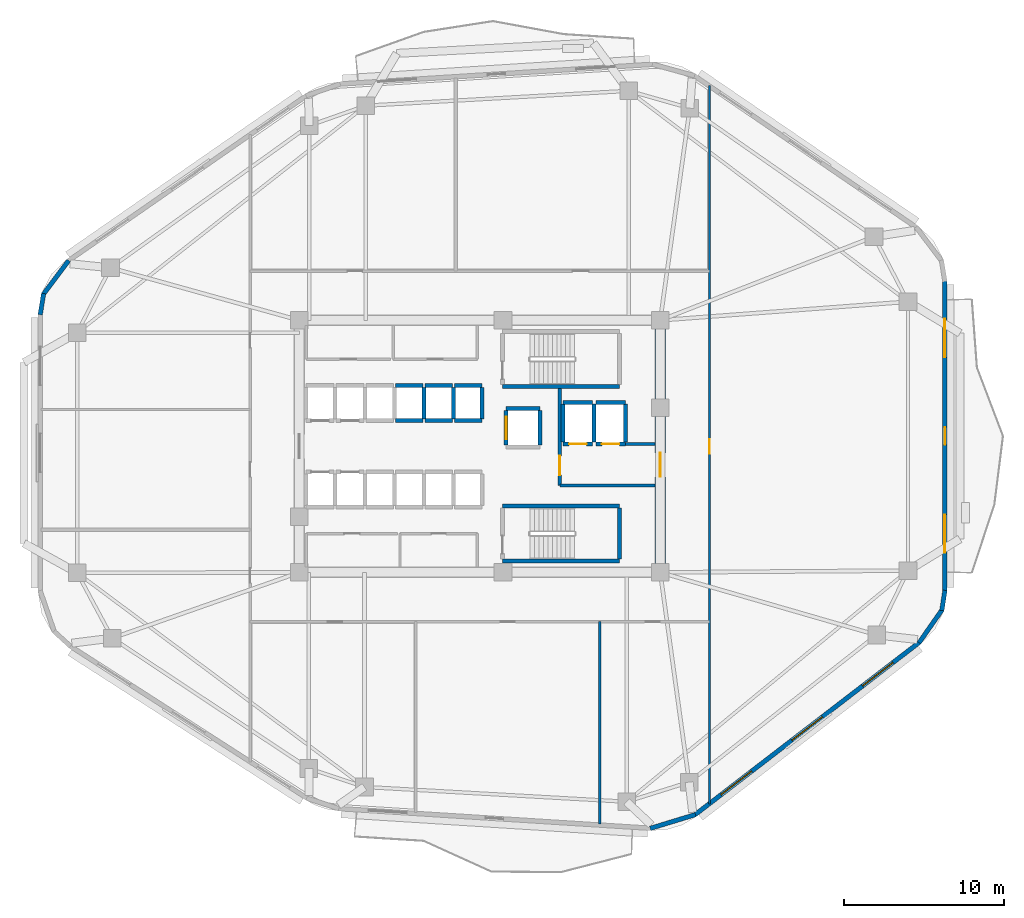
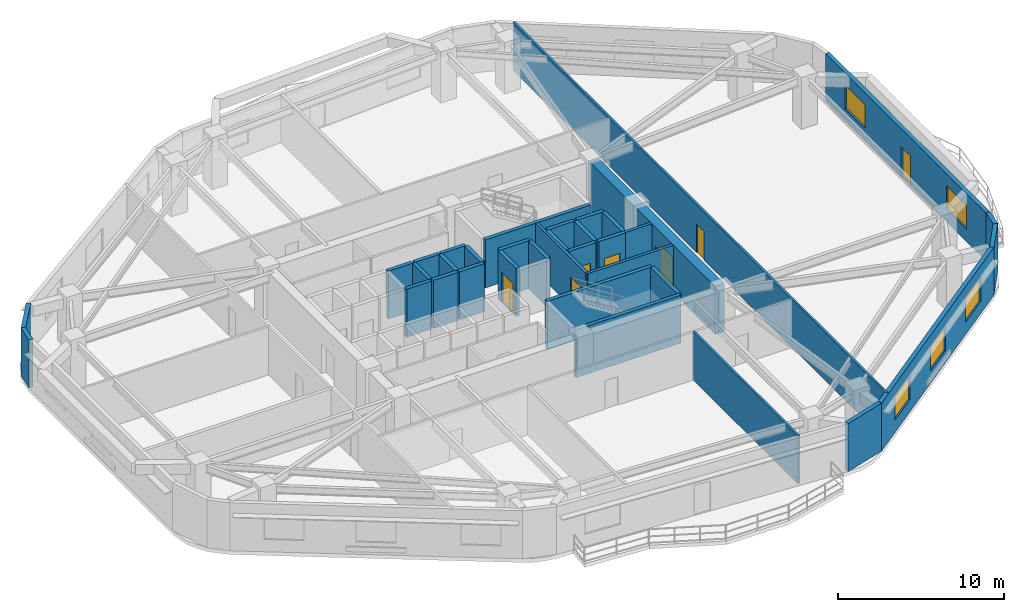
# One storey, part 4 of 8: 36 walls, 7 doors, 5 windows, 12 openings.
"""IFC4 building model written with IfcOpenShell, lengths in metres."""

from ifc_helpers import new_model, si_unit, direction, frame, frame_2d, origin, place, context, subcontext, project, spatial, rectangle, extrude, material, layer, layer_set, type_object, element, fill, save


model = new_model("IFC4")

# Units and contexts
model_context = context("Model", 3, precision=1e-05, world=origin(), true_north=direction((0.0, 1.0)))
body_context = subcontext(model_context, "Body", "Model", "MODEL_VIEW")
ifc_project = project(units=[si_unit("LENGTHUNIT", "METRE"), si_unit("AREAUNIT", "SQUARE_METRE"), si_unit("VOLUMEUNIT", "CUBIC_METRE"), si_unit("PLANEANGLEUNIT", "RADIAN"), si_unit("MASSUNIT", "GRAM", prefix="KILO")], contexts=[model_context])

# Site, building, storey
site_placement = place(None, origin())
site = spatial("IfcSite", under=ifc_project, at=site_placement, CompositionType="ELEMENT")
building_placement = place(site_placement, origin())
building = spatial("IfcBuilding", under=site, at=building_placement, Name="Zulverin Broadcast Headquarters", CompositionType="ELEMENT")
storey_placement = place(building_placement, frame((0.0, 0.0, 89.60009765625)))
storey = spatial("IfcBuildingStorey", under=building, at=storey_placement, Name="L22", CompositionType="ELEMENT", Elevation=89.60009765625)

# Wall, opening, door
ifc_material_1 = material(Name="Concrete C60/75", Category="concrete")
ifc_layer_1 = layer(ifc_material_1, 0.64990234375, Name="Concrete C60/75", Category="concrete")
ifc_layer_set_1 = layer_set([ifc_layer_1], Name="Concrete C60/75")
wall_type_1 = type_object("IfcWallType", Name="WL-CORE-650", PredefinedType="SHEAR", material=ifc_layer_set_1)
wall_1_placement = place(storey_placement, frame((48.27490234375, 17.64990234375, 0.0), z_axis=(0.0, 0.0, 1.0), x_axis=(0.0, 1.0, 0.0)))
wall_1 = element("IfcWall", 1, at=wall_1_placement, inside=storey, type_object=wall_type_1, Name="L22 Core East Shear Wall", PredefinedType="SHEAR", context=body_context, shape_type="SweptSolid", body=[
    extrude(rectangle(XDim=15.10009765625, YDim=0.64990234375, at=frame_2d((7.550048828125, 0.0))), origin(), (0.0, 0.0, 1.0), 3.52490234375),
])
opening_1_placement = place(wall_1_placement, frame((5.64990234375, 0.0, 0.0)))
opening_1 = element("IfcOpeningElement", 2, at=opening_1_placement, cuts=wall_1, Name="Opening D-L22-CE1", PredefinedType="OPENING", context=body_context, shape_type="SweptSolid", body=[
    extrude(rectangle(XDim=1.5, YDim=2.14990234375, at=frame_2d((0.75, 1.074951171875))), frame((0.0, 0.3349609375, 0.0), z_axis=(0.0, -1.0, 0.0), x_axis=(1.0, 0.0, 0.0)), (0.0, 0.0, 1.0), 0.669921875),
])
ifc_material_2 = material(Name="Fire-rated glazed steel frame", Category="steel")
door_type_1 = type_object("IfcDoorType", Name="DR-COR-1500", OperationType="DOUBLE_DOOR_SINGLE_SWING", PredefinedType="DOOR", material=ifc_material_2)
door_1_placement = place(opening_1_placement, origin())
door_1 = element("IfcDoor", 3, at=door_1_placement, inside=storey, type_object=door_type_1, Name="L22 Firefighting Lobby East Corridor Door", OperationType="DOUBLE_DOOR_SINGLE_SWING", OverallHeight=2.14990234375, OverallWidth=1.5, PredefinedType="DOOR", context=body_context, shape_type="SweptSolid", body=[
    extrude(rectangle(XDim=1.5, YDim=2.14990234375, at=frame_2d((0.75, 1.074951171875))), frame((0.0, 0.02490234375, 0.0), z_axis=(0.0, -1.0, 0.0), x_axis=(1.0, 0.0, 0.0)), (0.0, 0.0, 1.0), 0.050048828125),
])
fill(opening_1, door_1)

# Wall, openings, windows
ifc_material_3 = material(Name="Insulated pale-metal clad concrete spandrel C40/50", Category="concrete")
ifc_layer_2 = layer(ifc_material_3, 0.280029296875, Name="Insulated pale-metal clad concrete spandrel C40/50", Category="concrete")
ifc_layer_set_2 = layer_set([ifc_layer_2], Name="Insulated pale-metal clad concrete spandrel C40/50")
wall_type_2 = type_object("IfcWallType", Name="WL-EXT-280", PredefinedType="STANDARD", material=ifc_layer_set_2)
wall_2_placement = place(storey_placement, frame((50.4287109375, 2.171630859375, 0.0), z_axis=(0.0, 0.0, 1.0), x_axis=(0.792937466367, 0.609303023488, 0.0)))
wall_2 = element("IfcWall", 4, at=wall_2_placement, inside=storey, type_object=wall_type_2, Name="L22 Pale-Metal Clad Spandrel Wall 2", PredefinedType="STANDARD", context=body_context, shape_type="SweptSolid", body=[
    extrude(rectangle(XDim=17.712890625, YDim=0.280029296875, at=frame_2d((8.8564453125, 0.0))), origin(), (0.0, 0.0, 1.0), 3.52490234375),
])
opening_2_placement = place(wall_2_placement, frame((2.08544921875, 0.0, 0.89990234375)))
opening_2 = element("IfcOpeningElement", 5, at=opening_2_placement, cuts=wall_2, Name="Opening W-L22-E21", PredefinedType="OPENING", context=body_context, shape_type="SweptSolid", body=[
    extrude(rectangle(XDim=2.39990234375, YDim=1.75, at=frame_2d((1.199951171875, 0.875))), frame((0.0, 0.14990234375, 0.0), z_axis=(0.0, -1.0, 0.0), x_axis=(1.0, 0.0, 0.0)), (0.0, 0.0, 1.0), 0.300048828125),
])
opening_3_placement = place(wall_2_placement, frame((7.656494140625, 0.0, 0.89990234375)))
opening_3 = element("IfcOpeningElement", 6, at=opening_3_placement, cuts=wall_2, Name="Opening W-L22-E22", PredefinedType="OPENING", context=body_context, shape_type="SweptSolid", body=[
    extrude(rectangle(XDim=2.39990234375, YDim=1.75, at=frame_2d((1.199951171875, 0.875))), frame((0.0, 0.14990234375, 0.0), z_axis=(0.0, -1.0, 0.0), x_axis=(1.0, 0.0, 0.0)), (0.0, 0.0, 1.0), 0.300048828125),
])
opening_4_placement = place(wall_2_placement, frame((13.227294921875, 0.0, 0.89990234375)))
opening_4 = element("IfcOpeningElement", 7, at=opening_4_placement, cuts=wall_2, Name="Opening W-L22-E23", PredefinedType="OPENING", context=body_context, shape_type="SweptSolid", body=[
    extrude(rectangle(XDim=2.39990234375, YDim=1.75, at=frame_2d((1.199951171875, 0.875))), frame((0.0, 0.14990234375, 0.0), z_axis=(0.0, -1.0, 0.0), x_axis=(1.0, 0.0, 0.0)), (0.0, 0.0, 1.0), 0.300048828125),
])
ifc_material_4 = material(Name="Pale anodized aluminium frame with solar-control low-E double glazing", Category="aluminium")
window_type = type_object("IfcWindowType", Name="WIN-RIB-2400", PartitioningType="SINGLE_PANEL", PredefinedType="WINDOW", material=ifc_material_4)
window_1_placement = place(opening_2_placement, origin())
window_1 = element("IfcWindow", 8, at=window_1_placement, inside=storey, type_object=window_type, Name="L22 Ribbon Glazing Window 2 1", OverallHeight=1.75, OverallWidth=2.39990234375, PartitioningType="SINGLE_PANEL", PredefinedType="WINDOW", context=body_context, shape_type="SweptSolid", body=[
    extrude(rectangle(XDim=2.39990234375, YDim=1.75, at=frame_2d((1.199951171875, 0.875))), frame((0.0, 0.030029296875, 0.0), z_axis=(0.0, -1.0, 0.0), x_axis=(1.0, 0.0, 0.0)), (0.0, 0.0, 1.0), 0.06005859375),
])
fill(opening_2, window_1)
window_2_placement = place(opening_3_placement, origin())
window_2 = element("IfcWindow", 9, at=window_2_placement, inside=storey, type_object=window_type, Name="L22 Ribbon Glazing Window 2 2", OverallHeight=1.75, OverallWidth=2.39990234375, PartitioningType="SINGLE_PANEL", PredefinedType="WINDOW", context=body_context, shape_type="SweptSolid", body=[
    extrude(rectangle(XDim=2.39990234375, YDim=1.75, at=frame_2d((1.199951171875, 0.875))), frame((0.0, 0.030029296875, 0.0), z_axis=(0.0, -1.0, 0.0), x_axis=(1.0, 0.0, 0.0)), (0.0, 0.0, 1.0), 0.06005859375),
])
fill(opening_3, window_2)
window_3_placement = place(opening_4_placement, origin())
window_3 = element("IfcWindow", 10, at=window_3_placement, inside=storey, type_object=window_type, Name="L22 Ribbon Glazing Window 2 3", OverallHeight=1.75, OverallWidth=2.39990234375, PartitioningType="SINGLE_PANEL", PredefinedType="WINDOW", context=body_context, shape_type="SweptSolid", body=[
    extrude(rectangle(XDim=2.39990234375, YDim=1.75, at=frame_2d((1.199951171875, 0.875))), frame((0.0, 0.030029296875, 0.0), z_axis=(0.0, -1.0, 0.0), x_axis=(1.0, 0.0, 0.0)), (0.0, 0.0, 1.0), 0.06005859375),
])
fill(opening_4, window_3)

# Wall, openings, door, windows
wall_3_placement = place(storey_placement, frame((66.06005859375, 16.183349609375, 0.0), z_axis=(0.0, 0.0, 1.0), x_axis=(0.0, 1.0, 0.0)))
wall_3 = element("IfcWall", 11, at=wall_3_placement, inside=storey, type_object=wall_type_2, Name="L22 Pale-Metal Clad Spandrel Wall 3", PredefinedType="STANDARD", context=body_context, shape_type="SweptSolid", body=[
    extrude(rectangle(XDim=19.3310546875, YDim=0.280029296875, at=frame_2d((9.66552734375, 0.0))), origin(), (0.0, 0.0, 1.0), 3.52490234375),
])
opening_5_placement = place(wall_3_placement, frame((9.115478515625, 0.0, 0.0)))
opening_5 = element("IfcOpeningElement", 12, at=opening_5_placement, cuts=wall_3, Name="Opening D-L22-TR3", PredefinedType="OPENING", context=body_context, shape_type="SweptSolid", body=[
    extrude(rectangle(XDim=1.10009765625, YDim=2.199951171875, at=frame_2d((0.550048828125, 1.10009765625))), frame((0.0, 0.14990234375, 0.0), z_axis=(0.0, -1.0, 0.0), x_axis=(1.0, 0.0, 0.0)), (0.0, 0.0, 1.0), 0.300048828125),
])
opening_6_placement = place(wall_3_placement, frame((2.355224609375, 0.0, 0.89990234375)))
opening_6 = element("IfcOpeningElement", 13, at=opening_6_placement, cuts=wall_3, Name="Opening W-L22-E31", PredefinedType="OPENING", context=body_context, shape_type="SweptSolid", body=[
    extrude(rectangle(XDim=2.39990234375, YDim=1.75, at=frame_2d((1.199951171875, 0.875))), frame((0.0, 0.14990234375, 0.0), z_axis=(0.0, -1.0, 0.0), x_axis=(1.0, 0.0, 0.0)), (0.0, 0.0, 1.0), 0.300048828125),
])
opening_7_placement = place(wall_3_placement, frame((14.575927734375, 0.0, 0.89990234375)))
opening_7 = element("IfcOpeningElement", 14, at=opening_7_placement, cuts=wall_3, Name="Opening W-L22-E32", PredefinedType="OPENING", context=body_context, shape_type="SweptSolid", body=[
    extrude(rectangle(XDim=2.39990234375, YDim=1.75, at=frame_2d((1.199951171875, 0.875))), frame((0.0, 0.14990234375, 0.0), z_axis=(0.0, -1.0, 0.0), x_axis=(1.0, 0.0, 0.0)), (0.0, 0.0, 1.0), 0.300048828125),
])
ifc_material_5 = material(Name="Thermally broken aluminium glazed", Category="aluminium")
door_type_2 = type_object("IfcDoorType", Name="DR-TERR-1100", OperationType="SINGLE_SWING_RIGHT", PredefinedType="DOOR", material=ifc_material_5)
door_2_placement = place(opening_5_placement, origin())
door_2 = element("IfcDoor", 15, at=door_2_placement, inside=storey, type_object=door_type_2, Name="L22 Planted Terrace Glazed Access Door 3", OperationType="SINGLE_SWING_RIGHT", OverallHeight=2.199951171875, OverallWidth=1.10009765625, PredefinedType="DOOR", context=body_context, shape_type="SweptSolid", body=[
    extrude(rectangle(XDim=1.10009765625, YDim=2.199951171875, at=frame_2d((0.550048828125, 1.10009765625))), frame((0.0, 0.02490234375, 0.0), z_axis=(0.0, -1.0, 0.0), x_axis=(1.0, 0.0, 0.0)), (0.0, 0.0, 1.0), 0.050048828125),
])
fill(opening_5, door_2)
window_4_placement = place(opening_6_placement, origin())
window_4 = element("IfcWindow", 16, at=window_4_placement, inside=storey, type_object=window_type, Name="L22 Ribbon Glazing Window 3 1", OverallHeight=1.75, OverallWidth=2.39990234375, PartitioningType="SINGLE_PANEL", PredefinedType="WINDOW", context=body_context, shape_type="SweptSolid", body=[
    extrude(rectangle(XDim=2.39990234375, YDim=1.75, at=frame_2d((1.199951171875, 0.875))), frame((0.0, 0.030029296875, 0.0), z_axis=(0.0, -1.0, 0.0), x_axis=(1.0, 0.0, 0.0)), (0.0, 0.0, 1.0), 0.06005859375),
])
fill(opening_6, window_4)
window_5_placement = place(opening_7_placement, origin())
window_5 = element("IfcWindow", 17, at=window_5_placement, inside=storey, type_object=window_type, Name="L22 Ribbon Glazing Window 3 2", OverallHeight=1.75, OverallWidth=2.39990234375, PartitioningType="SINGLE_PANEL", PredefinedType="WINDOW", context=body_context, shape_type="SweptSolid", body=[
    extrude(rectangle(XDim=2.39990234375, YDim=1.75, at=frame_2d((1.199951171875, 0.875))), frame((0.0, 0.030029296875, 0.0), z_axis=(0.0, -1.0, 0.0), x_axis=(1.0, 0.0, 0.0)), (0.0, 0.0, 1.0), 0.06005859375),
])
fill(opening_7, window_5)

# Walls
wall_4_placement = place(storey_placement, frame((47.649658203125, 1.3330078125, 0.0), z_axis=(0.0, 0.0, 1.0), x_axis=(0.956461287977, 0.291859220516, 0.0)))
element("IfcWall", 18, at=wall_4_placement, inside=storey, type_object=wall_type_2, Name="L22 Wind-Shaped Corner Spandrel Wall 1-1", PredefinedType="STANDARD", context=body_context, shape_type="SweptSolid", body=[
    extrude(rectangle(XDim=2.951904296875, YDim=0.280029296875, at=frame_2d((1.47607421875, 0.0))), origin(), (0.0, 0.0, 1.0), 3.52490234375),
])
wall_5_placement = place(storey_placement, frame((64.4443359375, 12.933349609375, 0.0), z_axis=(0.0, 0.0, 1.0), x_axis=(0.573176686443, 0.819431806875, 0.0)))
element("IfcWall", 19, at=wall_5_placement, inside=storey, type_object=wall_type_2, Name="L22 Wind-Shaped Corner Spandrel Wall 2-1", PredefinedType="STANDARD", context=body_context, shape_type="SweptSolid", body=[
    extrude(rectangle(XDim=2.524169921875, YDim=0.280029296875, at=frame_2d((1.26220703125, 0.0))), origin(), (0.0, 0.0, 1.0), 3.52490234375),
])
wall_6_placement = place(storey_placement, frame((65.867431640625, 14.942626953125, 0.0), z_axis=(0.0, 0.0, 1.0), x_axis=(0.152014078361, 0.988378328364, 0.0)))
element("IfcWall", 20, at=wall_6_placement, inside=storey, type_object=wall_type_2, Name="L22 Wind-Shaped Corner Spandrel Wall 2-2", PredefinedType="STANDARD", context=body_context, shape_type="SweptSolid", body=[
    extrude(rectangle(XDim=1.27685546875, YDim=0.280029296875, at=frame_2d((0.638427734375, 0.0))), origin(), (0.0, 0.0, 1.0), 3.52490234375),
])
wall_7_placement = place(storey_placement, frame((11.317626953125, 36.81103515625, 0.0), z_axis=(0.0, 0.0, 1.0), x_axis=(-0.599455152629, -0.800408345775, 0.0)))
element("IfcWall", 21, at=wall_7_placement, inside=storey, type_object=wall_type_2, Name="L22 Wind-Shaped Corner Spandrel Wall 6-1", PredefinedType="STANDARD", context=body_context, shape_type="SweptSolid", body=[
    extrude(rectangle(XDim=2.6533203125, YDim=0.280029296875, at=frame_2d((1.32666015625, 0.0))), origin(), (0.0, 0.0, 1.0), 3.52490234375),
])
wall_8_placement = place(storey_placement, frame((9.753173828125, 34.748779296875, 0.0), z_axis=(0.0, 0.0, 1.0), x_axis=(-0.160037671962, -0.987110907423, 0.0)))
element("IfcWall", 22, at=wall_8_placement, inside=storey, type_object=wall_type_2, Name="L22 Wind-Shaped Corner Spandrel Wall 6-2", PredefinedType="STANDARD", context=body_context, shape_type="SweptSolid", body=[
    extrude(rectangle(XDim=1.343994140625, YDim=0.280029296875, at=frame_2d((0.671875, 0.0))), origin(), (0.0, 0.0, 1.0), 3.52490234375),
])

# Wall, opening, door
ifc_material_6 = material(Name="Concrete C40/50", Category="concrete")
ifc_layer_3 = layer(ifc_material_6, 0.199951171875, Name="Concrete C40/50", Category="concrete")
ifc_layer_set_3 = layer_set([ifc_layer_3], Name="Concrete C40/50")
wall_type_3 = type_object("IfcWallType", Name="WL-FFL-200", PredefinedType="SOLIDWALL", material=ifc_layer_set_3)
wall_9_placement = place(storey_placement, frame((42.0, 22.75, 0.0), z_axis=(0.0, 0.0, 1.0), x_axis=(0.0, 1.0, 0.0)))
wall_9 = element("IfcWall", 23, at=wall_9_placement, inside=storey, type_object=wall_type_3, Name="L22 Firefighting Lift Lobby West Wall", PredefinedType="SOLIDWALL", context=body_context, shape_type="SweptSolid", body=[
    extrude(rectangle(XDim=6.050048828125, YDim=0.199951171875, at=frame_2d((3.02490234375, 0.0))), origin(), (0.0, 0.0, 1.0), 3.52490234375),
])
opening_8_placement = place(wall_9_placement, frame((0.64990234375, 0.0, 0.0)))
opening_8 = element("IfcOpeningElement", 24, at=opening_8_placement, cuts=wall_9, Name="Opening D-L22-FFLW", PredefinedType="OPENING", context=body_context, shape_type="SweptSolid", body=[
    extrude(rectangle(XDim=1.199951171875, YDim=2.14990234375, at=frame_2d((0.60009765625, 1.074951171875))), frame((0.0, 0.10986328125, 0.0), z_axis=(0.0, -1.0, 0.0), x_axis=(1.0, 0.0, 0.0)), (0.0, 0.0, 1.0), 0.219970703125),
])
ifc_material_7 = material(Name="Fire-rated steel leaf and frame", Category="steel")
door_type_3 = type_object("IfcDoorType", Name="DR-FFL-1200", OperationType="SINGLE_SWING_RIGHT", PredefinedType="DOOR", material=ifc_material_7)
door_3_placement = place(opening_8_placement, origin())
door_3 = element("IfcDoor", 25, at=door_3_placement, inside=storey, type_object=door_type_3, Name="L22 Firefighting Lift Lobby Door", OperationType="SINGLE_SWING_RIGHT", OverallHeight=2.14990234375, OverallWidth=1.199951171875, PredefinedType="DOOR", context=body_context, shape_type="SweptSolid", body=[
    extrude(rectangle(XDim=1.199951171875, YDim=2.14990234375, at=frame_2d((0.60009765625, 1.074951171875))), frame((0.0, 0.02490234375, 0.0), z_axis=(0.0, -1.0, 0.0), x_axis=(1.0, 0.0, 0.0)), (0.0, 0.0, 1.0), 0.050048828125),
])
fill(opening_8, door_3)

# Walls
wall_10_placement = place(storey_placement, frame((42.0, 22.75, 0.0), z_axis=(0.0, 0.0, 1.0), x_axis=(1.0, 0.0, 0.0)))
element("IfcWall", 26, at=wall_10_placement, inside=storey, type_object=wall_type_3, Name="L22 Firefighting Lift Lobby South Wall", PredefinedType="SOLIDWALL", context=body_context, shape_type="SweptSolid", body=[
    extrude(rectangle(XDim=5.949951171875, YDim=0.199951171875, at=frame_2d((2.97509765625, 0.0))), origin(), (0.0, 0.0, 1.0), 3.52490234375),
])
wall_11_placement = place(storey_placement, frame((46.10009765625, 25.35009765625, 0.0), z_axis=(0.0, 0.0, 1.0), x_axis=(1.0, 0.0, 0.0)))
element("IfcWall", 27, at=wall_11_placement, inside=storey, type_object=wall_type_3, Name="L22 Firefighting Lift Lobby North Wall", PredefinedType="SOLIDWALL", context=body_context, shape_type="SweptSolid", body=[
    extrude(rectangle(XDim=1.849853515625, YDim=0.199951171875, at=frame_2d((0.9248046875, 0.0))), origin(), (0.0, 0.0, 1.0), 3.52490234375),
])

# Wall, opening, door
ifc_material_8 = material(Name="Fire-rated gypsum stud partition", Category="gypsum")
ifc_layer_4 = layer(ifc_material_8, 0.14990234375, Name="Fire-rated gypsum stud partition", Category="gypsum")
ifc_layer_set_4 = layer_set([ifc_layer_4], Name="Fire-rated gypsum stud partition")
wall_type_4 = type_object("IfcWallType", Name="WL-PART-150", PredefinedType="PARTITIONING", material=ifc_layer_set_4)
wall_12_placement = place(storey_placement, frame((51.35009765625, 2.843017578125, 0.0), z_axis=(0.0, 0.0, 1.0), x_axis=(0.0, 1.0, 0.0)))
wall_12 = element("IfcWall", 28, at=wall_12_placement, inside=storey, type_object=wall_type_4, Name="L22 Gallery Partition Wall CG-01", PredefinedType="PARTITIONING", context=body_context, shape_type="SweptSolid", body=[
    extrude(rectangle(XDim=44.89208984375, YDim=0.14990234375, at=frame_2d((22.446044921875, 0.0))), origin(), (0.0, 0.0, 1.0), 3.52490234375),
])
opening_9_placement = place(wall_12_placement, frame((21.906982421875, 0.0, 0.0)))
opening_9 = element("IfcOpeningElement", 29, at=opening_9_placement, cuts=wall_12, Name="Opening D-L22-09", PredefinedType="OPENING", context=body_context, shape_type="SweptSolid", body=[
    extrude(rectangle(XDim=0.89990234375, YDim=2.10009765625, at=frame_2d((0.449951171875, 1.050048828125))), frame((0.0, 0.0849609375, 0.0), z_axis=(0.0, -1.0, 0.0), x_axis=(1.0, 0.0, 0.0)), (0.0, 0.0, 1.0), 0.169921875),
])
ifc_material_9 = material(Name="Fire-rated hardwood veneer timber leaf", Category="wood")
door_type_4 = type_object("IfcDoorType", Name="DR-ROOM-900", OperationType="SINGLE_SWING_RIGHT", PredefinedType="DOOR", material=ifc_material_9)
door_4_placement = place(opening_9_placement, origin())
door_4 = element("IfcDoor", 30, at=door_4_placement, inside=storey, type_object=door_type_4, Name="L22 Open Plan Newsroom Door", OperationType="SINGLE_SWING_LEFT", OverallHeight=2.10009765625, OverallWidth=0.89990234375, PredefinedType="DOOR", context=body_context, shape_type="SweptSolid", body=[
    extrude(rectangle(XDim=0.89990234375, YDim=2.10009765625, at=frame_2d((0.449951171875, 1.050048828125))), frame((0.0, 0.02490234375, 0.0), z_axis=(0.0, -1.0, 0.0), x_axis=(1.0, 0.0, 0.0)), (0.0, 0.0, 1.0), 0.050048828125),
])
fill(opening_9, door_4)

# Walls
wall_13_placement = place(storey_placement, frame((44.5, 1.60546875, 0.0), z_axis=(0.0, 0.0, 1.0), x_axis=(0.0, 1.0, 0.0)))
element("IfcWall", 31, at=wall_13_placement, inside=storey, type_object=wall_type_4, Name="L22 Room Partition Wall RP-02", PredefinedType="PARTITIONING", context=body_context, shape_type="SweptSolid", body=[
    extrude(rectangle(XDim=12.64453125, YDim=0.14990234375, at=frame_2d((6.322265625, 0.0))), origin(), (0.0, 0.0, 1.0), 3.52490234375),
])
ifc_material_10 = material(Name="Concrete C50/60", Category="concrete")
ifc_layer_5 = layer(ifc_material_10, 0.25, Name="Concrete C50/60", Category="concrete")
ifc_layer_set_5 = layer_set([ifc_layer_5], Name="Concrete C50/60")
wall_type_5 = type_object("IfcWallType", Name="WL-SHAFT-250", PredefinedType="SHEAR", material=ifc_layer_set_5)
for number, where, z_axis, x_axis, name in (
    (32, (38.425048828125, 28.925048828125, 0.0), (0.0, 0.0, 1.0), (1.0, 0.0, 0.0), "L22 ST-1 Enclosure Wall S"),
    (33, (38.425048828125, 18.02490234375, 0.0), (0.0, 0.0, 1.0), (1.0, 0.0, 0.0), "L22 ST-2 Enclosure Wall S"),
    (34, (38.425048828125, 21.47509765625, 0.0), (0.0, 0.0, 1.0), (1.0, 0.0, 0.0), "L22 ST-2 Enclosure Wall N"),
):
    element("IfcWall", number, at=place(storey_placement, frame(where, z_axis=z_axis, x_axis=x_axis)), inside=storey, type_object=wall_type_5, Name=name, PredefinedType="SHEAR", context=body_context, shape_type="SweptSolid", body=[
        extrude(rectangle(XDim=7.300048828125, YDim=0.25, at=frame_2d((3.64990234375, 0.0))), origin(), (0.0, 0.0, 1.0), 3.52490234375),
    ])
wall_14_placement = place(storey_placement, frame((45.72509765625, 18.14990234375, 0.0), z_axis=(0.0, 0.0, 1.0), x_axis=(0.0, 1.0, 0.0)))
element("IfcWall", 35, at=wall_14_placement, inside=storey, type_object=wall_type_5, Name="L22 ST-2 Enclosure Wall E", PredefinedType="SHEAR", context=body_context, shape_type="SweptSolid", body=[
    extrude(rectangle(XDim=3.2001953125, YDim=0.25, at=frame_2d((1.60009765625, 0.0))), origin(), (0.0, 0.0, 1.0), 3.52490234375),
])
for number, where, z_axis, x_axis, name in (
    (36, (31.739990234375, 26.800048828125, 0.0), (0.0, 0.0, 1.0), (1.0, 0.0, 0.0), "L22 Lift PL-H2 Shaft Wall S"),
    (37, (31.739990234375, 29.0, 0.0), (0.0, 0.0, 1.0), (1.0, 0.0, 0.0), "L22 Lift PL-H2 Shaft Wall N"),
):
    element("IfcWall", number, at=place(storey_placement, frame(where, z_axis=z_axis, x_axis=x_axis)), inside=storey, type_object=wall_type_5, Name=name, PredefinedType="SHEAR", context=body_context, shape_type="SweptSolid", body=[
        extrude(rectangle(XDim=1.719970703125, YDim=0.25, at=frame_2d((0.85986328125, 0.0))), origin(), (0.0, 0.0, 1.0), 3.52490234375),
    ])
wall_15_placement = place(storey_placement, frame((33.52001953125, 26.919921875, 0.0), z_axis=(0.0, 0.0, 1.0), x_axis=(0.0, 1.0, 0.0)))
element("IfcWall", 38, at=wall_15_placement, inside=storey, type_object=wall_type_5, Name="L22 Lift PL-H2 Shaft Wall E", PredefinedType="SHEAR", context=body_context, shape_type="SweptSolid", body=[
    extrude(rectangle(XDim=1.9599609375, YDim=0.25, at=frame_2d((0.97998046875, 0.0))), origin(), (0.0, 0.0, 1.0), 3.52490234375),
])
for number, where, z_axis, x_axis, name in (
    (39, (33.580078125, 26.800048828125, 0.0), (0.0, 0.0, 1.0), (1.0, 0.0, 0.0), "L22 Lift PL-H3 Shaft Wall S"),
    (40, (33.580078125, 29.0, 0.0), (0.0, 0.0, 1.0), (1.0, 0.0, 0.0), "L22 Lift PL-H3 Shaft Wall N"),
):
    element("IfcWall", number, at=place(storey_placement, frame(where, z_axis=z_axis, x_axis=x_axis)), inside=storey, type_object=wall_type_5, Name=name, PredefinedType="SHEAR", context=body_context, shape_type="SweptSolid", body=[
        extrude(rectangle(XDim=1.719970703125, YDim=0.25, at=frame_2d((0.85986328125, 0.0))), origin(), (0.0, 0.0, 1.0), 3.52490234375),
    ])
wall_16_placement = place(storey_placement, frame((35.360107421875, 26.919921875, 0.0), z_axis=(0.0, 0.0, 1.0), x_axis=(0.0, 1.0, 0.0)))
element("IfcWall", 41, at=wall_16_placement, inside=storey, type_object=wall_type_5, Name="L22 Lift PL-H3 Shaft Wall E", PredefinedType="SHEAR", context=body_context, shape_type="SweptSolid", body=[
    extrude(rectangle(XDim=1.9599609375, YDim=0.25, at=frame_2d((0.97998046875, 0.0))), origin(), (0.0, 0.0, 1.0), 3.52490234375),
])
for number, where, z_axis, x_axis, name in (
    (42, (35.419921875, 26.800048828125, 0.0), (0.0, 0.0, 1.0), (1.0, 0.0, 0.0), "L22 Lift PL-H4 Shaft Wall S"),
    (43, (35.419921875, 29.0, 0.0), (0.0, 0.0, 1.0), (1.0, 0.0, 0.0), "L22 Lift PL-H4 Shaft Wall N"),
):
    element("IfcWall", number, at=place(storey_placement, frame(where, z_axis=z_axis, x_axis=x_axis)), inside=storey, type_object=wall_type_5, Name=name, PredefinedType="SHEAR", context=body_context, shape_type="SweptSolid", body=[
        extrude(rectangle(XDim=1.719970703125, YDim=0.25, at=frame_2d((0.85986328125, 0.0))), origin(), (0.0, 0.0, 1.0), 3.52490234375),
    ])
wall_17_placement = place(storey_placement, frame((37.139892578125, 26.919921875, 0.0), z_axis=(0.0, 0.0, 1.0), x_axis=(0.0, 1.0, 0.0)))
element("IfcWall", 44, at=wall_17_placement, inside=storey, type_object=wall_type_5, Name="L22 Lift PL-H4 Shaft Wall E", PredefinedType="SHEAR", context=body_context, shape_type="SweptSolid", body=[
    extrude(rectangle(XDim=1.9599609375, YDim=0.25, at=frame_2d((0.97998046875, 0.0))), origin(), (0.0, 0.0, 1.0), 3.52490234375),
])

# Wall, opening, door
wall_18_placement = place(storey_placement, frame((42.199951171875, 25.35009765625, 0.0), z_axis=(0.0, 0.0, 1.0), x_axis=(1.0, 0.0, 0.0)))
wall_18 = element("IfcWall", 45, at=wall_18_placement, inside=storey, type_object=wall_type_5, Name="L22 Lift FFL-1 Shaft Wall S", PredefinedType="SHEAR", context=body_context, shape_type="SweptSolid", body=[
    extrude(rectangle(XDim=1.85009765625, YDim=0.25, at=frame_2d((0.925048828125, 0.0))), origin(), (0.0, 0.0, 1.0), 3.52490234375),
])
opening_10_placement = place(wall_18_placement, frame((0.375, 0.0, 0.0)))
opening_10 = element("IfcOpeningElement", 46, at=opening_10_placement, cuts=wall_18, Name="Opening LD-FFL-1-L22", PredefinedType="OPENING", context=body_context, shape_type="SweptSolid", body=[
    extrude(rectangle(XDim=1.10009765625, YDim=2.14990234375, at=frame_2d((0.550048828125, 1.074951171875))), frame((0.0, 0.135009765625, 0.0), z_axis=(0.0, -1.0, 0.0), x_axis=(1.0, 0.0, 0.0)), (0.0, 0.0, 1.0), 0.27001953125),
])
ifc_material_11 = material(Name="Fire-rated stainless landing door", Category="steel")
door_type_5 = type_object("IfcDoorType", Name="LD-FFL-1100", OperationType="DOUBLE_DOOR_SLIDING", PredefinedType="DOOR", material=ifc_material_11)
door_5_placement = place(opening_10_placement, origin())
door_5 = element("IfcDoor", 47, at=door_5_placement, inside=storey, type_object=door_type_5, Name="L22 Lift FFL-1 Sliding Landing Door", OperationType="DOUBLE_DOOR_SLIDING", OverallHeight=2.14990234375, OverallWidth=1.10009765625, PredefinedType="DOOR", context=body_context, shape_type="SweptSolid", body=[
    extrude(rectangle(XDim=1.10009765625, YDim=2.14990234375, at=frame_2d((0.550048828125, 1.074951171875))), frame((0.0, 0.02490234375, 0.0), z_axis=(0.0, -1.0, 0.0), x_axis=(1.0, 0.0, 0.0)), (0.0, 0.0, 1.0), 0.050048828125),
])
fill(opening_10, door_5)

# Walls
wall_19_placement = place(storey_placement, frame((42.199951171875, 27.949951171875, 0.0), z_axis=(0.0, 0.0, 1.0), x_axis=(1.0, 0.0, 0.0)))
element("IfcWall", 48, at=wall_19_placement, inside=storey, type_object=wall_type_5, Name="L22 Lift FFL-1 Shaft Wall N", PredefinedType="SHEAR", context=body_context, shape_type="SweptSolid", body=[
    extrude(rectangle(XDim=1.85009765625, YDim=0.25, at=frame_2d((0.925048828125, 0.0))), origin(), (0.0, 0.0, 1.0), 3.52490234375),
])
for number, where, z_axis, x_axis, name in (
    (49, (42.199951171875, 25.469970703125, 0.0), (0.0, 0.0, 1.0), (0.0, 1.0, 0.0), "L22 Lift FFL-1 Shaft Wall W"),
    (50, (44.14990234375, 25.469970703125, 0.0), (0.0, 0.0, 1.0), (0.0, 1.0, 0.0), "L22 Lift FFL-1 Shaft Wall E"),
):
    element("IfcWall", number, at=place(storey_placement, frame(where, z_axis=z_axis, x_axis=x_axis)), inside=storey, type_object=wall_type_5, Name=name, PredefinedType="SHEAR", context=body_context, shape_type="SweptSolid", body=[
        extrude(rectangle(XDim=2.360107421875, YDim=0.25, at=frame_2d((1.18017578125, 0.0))), origin(), (0.0, 0.0, 1.0), 3.52490234375),
    ])

# Wall, opening, door
wall_20_placement = place(storey_placement, frame((44.25, 25.35009765625, 0.0), z_axis=(0.0, 0.0, 1.0), x_axis=(1.0, 0.0, 0.0)))
wall_20 = element("IfcWall", 51, at=wall_20_placement, inside=storey, type_object=wall_type_5, Name="L22 Lift FFL-2 Shaft Wall S", PredefinedType="SHEAR", context=body_context, shape_type="SweptSolid", body=[
    extrude(rectangle(XDim=1.85009765625, YDim=0.25, at=frame_2d((0.925048828125, 0.0))), origin(), (0.0, 0.0, 1.0), 3.52490234375),
])
opening_11_placement = place(wall_20_placement, frame((0.375, 0.0, 0.0)))
opening_11 = element("IfcOpeningElement", 52, at=opening_11_placement, cuts=wall_20, Name="Opening LD-FFL-2-L22", PredefinedType="OPENING", context=body_context, shape_type="SweptSolid", body=[
    extrude(rectangle(XDim=1.10009765625, YDim=2.14990234375, at=frame_2d((0.550048828125, 1.074951171875))), frame((0.0, 0.135009765625, 0.0), z_axis=(0.0, -1.0, 0.0), x_axis=(1.0, 0.0, 0.0)), (0.0, 0.0, 1.0), 0.27001953125),
])
door_6_placement = place(opening_11_placement, origin())
door_6 = element("IfcDoor", 53, at=door_6_placement, inside=storey, type_object=door_type_5, Name="L22 Lift FFL-2 Sliding Landing Door", OperationType="DOUBLE_DOOR_SLIDING", OverallHeight=2.14990234375, OverallWidth=1.10009765625, PredefinedType="DOOR", context=body_context, shape_type="SweptSolid", body=[
    extrude(rectangle(XDim=1.10009765625, YDim=2.14990234375, at=frame_2d((0.550048828125, 1.074951171875))), frame((0.0, 0.02490234375, 0.0), z_axis=(0.0, -1.0, 0.0), x_axis=(1.0, 0.0, 0.0)), (0.0, 0.0, 1.0), 0.050048828125),
])
fill(opening_11, door_6)

# Walls
wall_21_placement = place(storey_placement, frame((44.25, 27.949951171875, 0.0), z_axis=(0.0, 0.0, 1.0), x_axis=(1.0, 0.0, 0.0)))
element("IfcWall", 54, at=wall_21_placement, inside=storey, type_object=wall_type_5, Name="L22 Lift FFL-2 Shaft Wall N", PredefinedType="SHEAR", context=body_context, shape_type="SweptSolid", body=[
    extrude(rectangle(XDim=1.85009765625, YDim=0.25, at=frame_2d((0.925048828125, 0.0))), origin(), (0.0, 0.0, 1.0), 3.52490234375),
])
wall_22_placement = place(storey_placement, frame((46.10009765625, 25.469970703125, 0.0), z_axis=(0.0, 0.0, 1.0), x_axis=(0.0, 1.0, 0.0)))
element("IfcWall", 55, at=wall_22_placement, inside=storey, type_object=wall_type_5, Name="L22 Lift FFL-2 Shaft Wall E", PredefinedType="SHEAR", context=body_context, shape_type="SweptSolid", body=[
    extrude(rectangle(XDim=2.360107421875, YDim=0.25, at=frame_2d((1.18017578125, 0.0))), origin(), (0.0, 0.0, 1.0), 3.52490234375),
])
wall_23_placement = place(storey_placement, frame((38.64990234375, 27.550048828125, 0.0), z_axis=(0.0, 0.0, 1.0), x_axis=(1.0, 0.0, 0.0)))
element("IfcWall", 56, at=wall_23_placement, inside=storey, type_object=wall_type_5, Name="L22 Lift SVL-1 Shaft Wall N", PredefinedType="SHEAR", context=body_context, shape_type="SweptSolid", body=[
    extrude(rectangle(XDim=2.10009765625, YDim=0.25, at=frame_2d((1.050048828125, 0.0))), origin(), (0.0, 0.0, 1.0), 3.52490234375),
])

# Wall, opening, door
wall_24_placement = place(storey_placement, frame((38.64990234375, 25.27001953125, 0.0), z_axis=(0.0, 0.0, 1.0), x_axis=(0.0, 1.0, 0.0)))
wall_24 = element("IfcWall", 57, at=wall_24_placement, inside=storey, type_object=wall_type_5, Name="L22 Lift SVL-1 Shaft Wall W", PredefinedType="SHEAR", context=body_context, shape_type="SweptSolid", body=[
    extrude(rectangle(XDim=2.159912109375, YDim=0.25, at=frame_2d((1.080078125, 0.0))), origin(), (0.0, 0.0, 1.0), 3.52490234375),
])
opening_12_placement = place(wall_24_placement, frame((0.3798828125, 0.0, 0.0)))
opening_12 = element("IfcOpeningElement", 58, at=opening_12_placement, cuts=wall_24, Name="Opening LD-SVL-1-L22", PredefinedType="OPENING", context=body_context, shape_type="SweptSolid", body=[
    extrude(rectangle(XDim=1.39990234375, YDim=2.199951171875, at=frame_2d((0.699951171875, 1.10009765625))), frame((0.0, 0.135009765625, 0.0), z_axis=(0.0, -1.0, 0.0), x_axis=(1.0, 0.0, 0.0)), (0.0, 0.0, 1.0), 0.27001953125),
])
ifc_material_12 = material(Name="Heavy-duty stainless landing door", Category="steel")
door_type_6 = type_object("IfcDoorType", Name="LD-GOODS-1400", OperationType="DOUBLE_DOOR_SLIDING", PredefinedType="DOOR", material=ifc_material_12)
door_7_placement = place(opening_12_placement, origin())
door_7 = element("IfcDoor", 59, at=door_7_placement, inside=storey, type_object=door_type_6, Name="L22 Lift SVL-1 Sliding Landing Door", OperationType="DOUBLE_DOOR_SLIDING", OverallHeight=2.199951171875, OverallWidth=1.39990234375, PredefinedType="DOOR", context=body_context, shape_type="SweptSolid", body=[
    extrude(rectangle(XDim=1.39990234375, YDim=2.199951171875, at=frame_2d((0.699951171875, 1.10009765625))), frame((0.0, 0.02490234375, 0.0), z_axis=(0.0, -1.0, 0.0), x_axis=(1.0, 0.0, 0.0)), (0.0, 0.0, 1.0), 0.050048828125),
])
fill(opening_12, door_7)

# Wall
wall_25_placement = place(storey_placement, frame((40.75, 25.27001953125, 0.0), z_axis=(0.0, 0.0, 1.0), x_axis=(0.0, 1.0, 0.0)))
element("IfcWall", 60, at=wall_25_placement, inside=storey, type_object=wall_type_5, Name="L22 Lift SVL-1 Shaft Wall E", PredefinedType="SHEAR", context=body_context, shape_type="SweptSolid", body=[
    extrude(rectangle(XDim=2.159912109375, YDim=0.25, at=frame_2d((1.080078125, 0.0))), origin(), (0.0, 0.0, 1.0), 3.52490234375),
])

save(model, "model.ifc")
